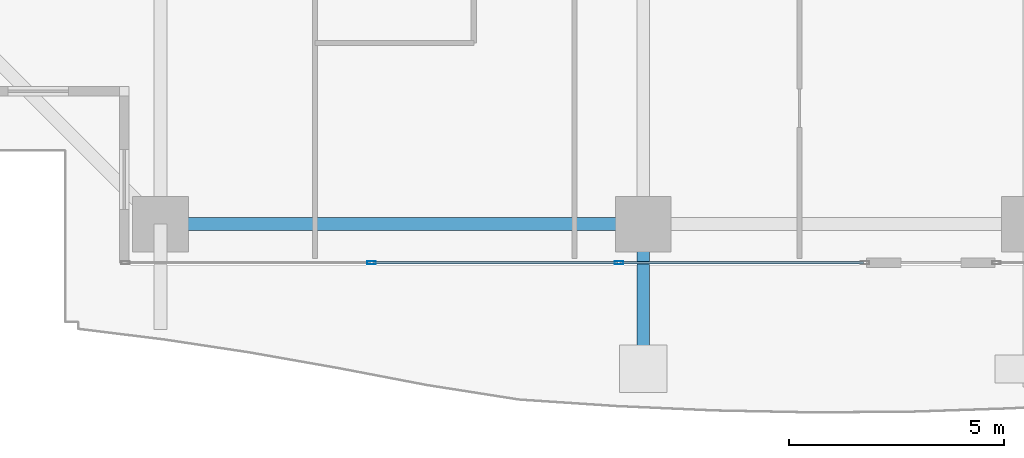
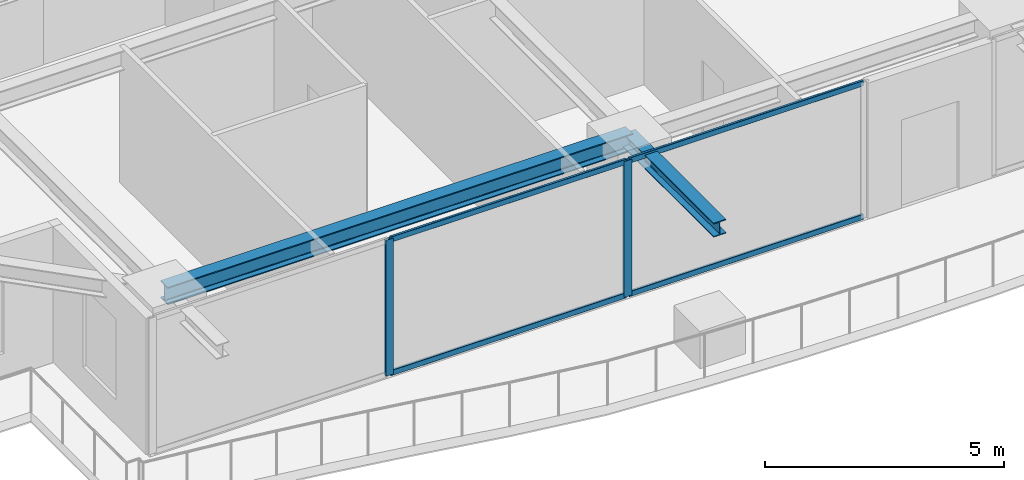
# One storey, part 4 of 34: 6 members, 2 beams, 1 element without a shape of its own.
"""IFC4 building model written with IfcOpenShell, lengths in metres."""

from ifc_helpers import new_model, si_unit, direction, frame, origin, origin_2d, place, context, subcontext, project, spatial, hollow_rectangle, i_section, extrude, source, transform, mapped, material, layer, layer_set, material_profile, profile_set, type_object, element, aggregate, save


model = new_model("IFC4")

# Units and contexts
model_context = context("Model", 3, precision=1e-05, world=origin(), true_north=direction((0.0, 1.0)))
body_context = subcontext(model_context, "Body", "Model", "MODEL_VIEW")
ifc_project = project(units=[si_unit("LENGTHUNIT", "METRE"), si_unit("AREAUNIT", "SQUARE_METRE"), si_unit("VOLUMEUNIT", "CUBIC_METRE"), si_unit("PLANEANGLEUNIT", "RADIAN"), si_unit("MASSUNIT", "GRAM", prefix="KILO")], contexts=[model_context])

# Site, building, storey
site_placement = place(None, origin())
site = spatial("IfcSite", under=ifc_project, at=site_placement, CompositionType="ELEMENT")
building_placement = place(site_placement, origin())
building = spatial("IfcBuilding", under=site, at=building_placement, Name="Serunith Strait Residences", CompositionType="ELEMENT")
storey_placement = place(building_placement, frame((0.0, 0.0, 187.64990234375)))
storey = spatial("IfcBuildingStorey", under=building, at=storey_placement, Name="L47", CompositionType="ELEMENT", Elevation=187.64990234375)

# Beams
ifc_material_1 = material(Name="Steel S355J2", Category="steel")
ifc_material_profile_1 = material_profile(ifc_material_1, i_section(OverallWidth=0.300048828125, OverallDepth=0.449951171875, WebThickness=0.013916015625, FlangeThickness=0.02587890625, FilletRadius=0.027099609375, at=origin_2d()), Name="HEB 450")
ifc_profile_set_1 = profile_set([ifc_material_profile_1], Name="Steel S355J2")
beam_type_1 = type_object("IfcBeamType", Name="BM-HEB450", PredefinedType="BEAM", material=ifc_profile_set_1)
shared_shape_1 = source(origin(), body_context, "Body", "SweptSolid", [
    extrude(i_section(OverallWidth=0.300048828125, OverallDepth=0.449951171875, WebThickness=0.013916015625, FlangeThickness=0.02587890625, FilletRadius=0.027099609375, at=origin_2d()), origin(), (0.0, 0.0, 1.0), 11.25),
])
beam_1_placement = place(storey_placement, frame((16.64990234375, 2.300048828125, 3.26220703125), z_axis=(1.0, 0.0, 0.0), x_axis=(0.0, 1.0, 0.0)))
element("IfcBeam", 1, at=beam_1_placement, inside=storey, type_object=beam_type_1, Name="L47 Perimeter Ring Beam 01", PredefinedType="BEAM", context=body_context, shape_type="MappedRepresentation", body=[
    mapped(shared_shape_1, transform((0.0, 0.0, 0.0), scale=1.0)),
])
ifc_material_profile_2 = material_profile(ifc_material_1, i_section(OverallWidth=0.300048828125, OverallDepth=0.360107421875, WebThickness=0.012451171875, FlangeThickness=0.0224609375, FilletRadius=0.027099609375, at=origin_2d()), Name="HEB 360")
ifc_profile_set_2 = profile_set([ifc_material_profile_2], Name="Steel S355J2")
beam_type_2 = type_object("IfcBeamType", Name="BM-HEB360", PredefinedType="BEAM", material=ifc_profile_set_2)
shared_shape_2 = source(origin(), body_context, "Body", "SweptSolid", [
    extrude(i_section(OverallWidth=0.300048828125, OverallDepth=0.360107421875, WebThickness=0.012451171875, FlangeThickness=0.0224609375, FilletRadius=0.027099609375, at=origin_2d()), origin(), (0.0, 0.0, 1.0), 3.800048828125),
])
beam_2_placement = place(storey_placement, frame((27.89990234375, 2.300048828125, 3.277099609375), z_axis=(0.0, -1.0, 0.0), x_axis=(1.0, 0.0, 0.0)))
element("IfcBeam", 2, at=beam_2_placement, inside=storey, type_object=beam_type_2, Name="L48 Cantilevered Balcony Rib TC-S2", PredefinedType="BEAM", context=body_context, shape_type="MappedRepresentation", body=[
    mapped(shared_shape_2, transform((0.0, 0.0, 0.0), scale=1.0)),
])

# Curtain wall, members
ifc_material_2 = material(Name="Pale-Champagne Anodised Aluminium", Category="aluminium")
ifc_layer = layer(ifc_material_2, 0.199951171875, Name="Pale-Champagne Anodised Aluminium")
ifc_layer_set = layer_set([ifc_layer], Name="Pale-Champagne Anodised Aluminium")
curtain_wall_type = type_object("IfcCurtainWallType", Name="CW-SYS2", PredefinedType="NOTDEFINED", material=ifc_layer_set)
curtain_wall_placement = place(storey_placement, origin())
curtain_wall = element("IfcCurtainWall", 3, at=curtain_wall_placement, inside=storey, type_object=curtain_wall_type, Name="L47 S Unitised Fritted Curtain Wall", PredefinedType="NOTDEFINED")
ifc_material_profile_3 = material_profile(ifc_material_2, hollow_rectangle(XDim=0.070068359375, YDim=0.199951171875, WallThickness=0.00390625, InnerFilletRadius=0.006103515625, OuterFilletRadius=0.010009765625, at=origin_2d()), Name="ALU 200x70x4")
ifc_profile_set_3 = profile_set([ifc_material_profile_3], Name="Pale-Champagne Anodised Aluminium")
member_type_1 = type_object("IfcMemberType", Name="CW-SYS2-MULL", PredefinedType="MULLION", material=ifc_profile_set_3)
shared_shape_3 = source(origin(), body_context, "Body", "SweptSolid", [
    extrude(hollow_rectangle(XDim=0.070068359375, YDim=0.199951171875, WallThickness=0.00390625, InnerFilletRadius=0.006103515625, OuterFilletRadius=0.010009765625, at=origin_2d()), origin(), (0.0, 0.0, 1.0), 3.47509765625),
])
member_1_placement = place(storey_placement, frame((21.566650390625, 1.39990234375, 0.0), z_axis=(0.0, 0.0, 1.0), x_axis=(0.0, 1.0, 0.0)))
member_1 = element("IfcMember", 4, at=member_1_placement, type_object=member_type_1, Name="CW-2 mullion 2", PredefinedType="MULLION", context=body_context, shape_type="MappedRepresentation", body=[
    mapped(shared_shape_3, transform((0.0, 0.0, 0.0), scale=1.0)),
])
member_2_placement = place(storey_placement, frame((27.333251953125, 1.39990234375, 0.0), z_axis=(0.0, 0.0, 1.0), x_axis=(0.0, 1.0, 0.0)))
member_2 = element("IfcMember", 5, at=member_2_placement, type_object=member_type_1, Name="CW-2 mullion 3", PredefinedType="MULLION", context=body_context, shape_type="MappedRepresentation", body=[
    mapped(shared_shape_3, transform((0.0, 0.0, 0.0), scale=1.0)),
])
ifc_material_profile_4 = material_profile(ifc_material_2, hollow_rectangle(XDim=0.06005859375, YDim=0.139892578125, WallThickness=0.00341796875, InnerFilletRadius=0.00537109375, OuterFilletRadius=0.0087890625, at=origin_2d()), Name="ALU 140x60x3.5")
ifc_profile_set_4 = profile_set([ifc_material_profile_4], Name="Pale-Champagne Anodised Aluminium")
member_type_2 = type_object("IfcMemberType", Name="CW-SYS2-TRAN", PredefinedType="USERDEFINED", material=ifc_profile_set_4)
shared_shape_4 = source(origin(), body_context, "Body", "SweptSolid", [
    extrude(hollow_rectangle(XDim=0.06005859375, YDim=0.139892578125, WallThickness=0.00341796875, InnerFilletRadius=0.00537109375, OuterFilletRadius=0.0087890625, at=origin_2d()), origin(), (0.0, 0.0, 1.0), 5.66162109375),
])
member_3_placement = place(storey_placement, frame((27.368408203125, 1.39990234375, 0.030029296875), z_axis=(1.0, 0.0, 0.0), x_axis=(0.0, 1.0, 0.0)))
member_3 = element("IfcMember", 6, at=member_3_placement, type_object=member_type_2, Name="CW-2 transom 3.1", ObjectType="TRANSOM", PredefinedType="USERDEFINED", context=body_context, shape_type="MappedRepresentation", body=[
    mapped(shared_shape_4, transform((0.0, 0.0, 0.0), scale=1.0)),
])
member_4_placement = place(storey_placement, frame((27.368408203125, 1.39990234375, 3.445068359375), z_axis=(1.0, 0.0, 0.0), x_axis=(0.0, 1.0, 0.0)))
member_4 = element("IfcMember", 7, at=member_4_placement, type_object=member_type_2, Name="CW-2 transom 3.2", ObjectType="TRANSOM", PredefinedType="USERDEFINED", context=body_context, shape_type="MappedRepresentation", body=[
    mapped(shared_shape_4, transform((0.0, 0.0, 0.0), scale=1.0)),
])
shared_shape_5 = source(origin(), body_context, "Body", "SweptSolid", [
    extrude(hollow_rectangle(XDim=0.06005859375, YDim=0.139892578125, WallThickness=0.00341796875, InnerFilletRadius=0.00537109375, OuterFilletRadius=0.0087890625, at=origin_2d()), origin(), (0.0, 0.0, 1.0), 5.69677734375),
])
member_5_placement = place(storey_placement, frame((21.6015625, 1.39990234375, 0.030029296875), z_axis=(1.0, 0.0, 0.0), x_axis=(0.0, 1.0, 0.0)))
member_5 = element("IfcMember", 8, at=member_5_placement, type_object=member_type_2, Name="CW-2 transom 2.1", ObjectType="TRANSOM", PredefinedType="USERDEFINED", context=body_context, shape_type="MappedRepresentation", body=[
    mapped(shared_shape_5, transform((0.0, 0.0, 0.0), scale=1.0)),
])
member_6_placement = place(storey_placement, frame((21.6015625, 1.39990234375, 3.445068359375), z_axis=(1.0, 0.0, 0.0), x_axis=(0.0, 1.0, 0.0)))
member_6 = element("IfcMember", 9, at=member_6_placement, type_object=member_type_2, Name="CW-2 transom 2.2", ObjectType="TRANSOM", PredefinedType="USERDEFINED", context=body_context, shape_type="MappedRepresentation", body=[
    mapped(shared_shape_5, transform((0.0, 0.0, 0.0), scale=1.0)),
])
aggregate(curtain_wall, [member_1, member_2, member_5, member_6, member_3, member_4])

save(model, "model.ifc")
